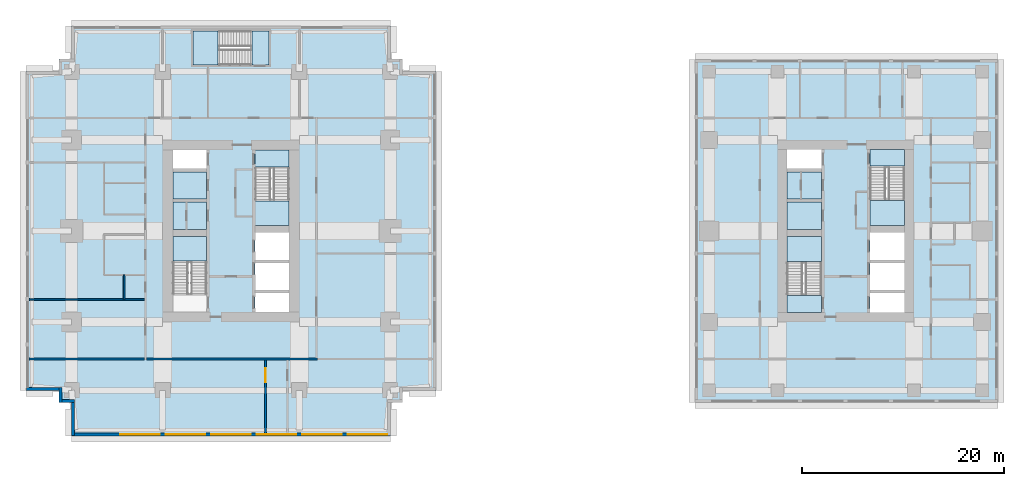
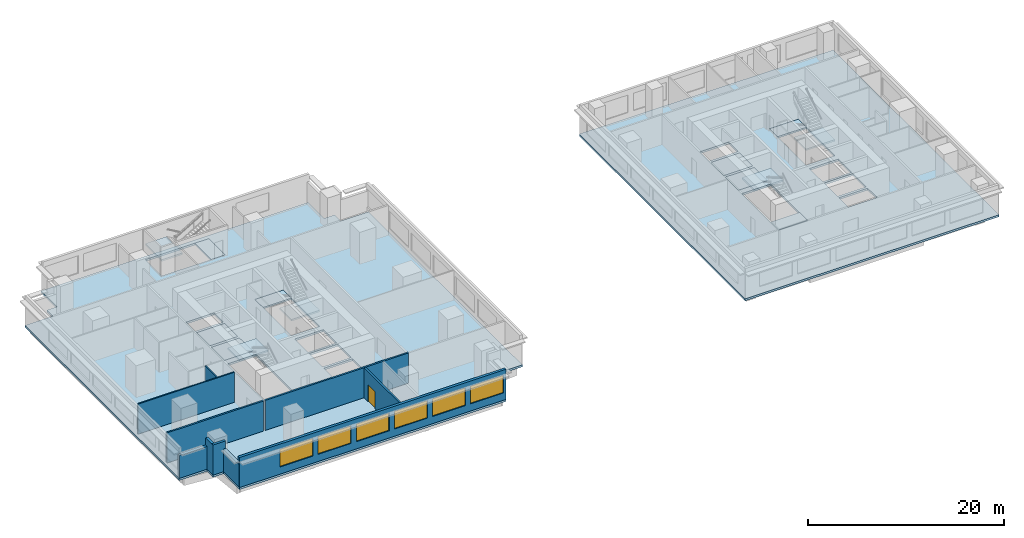
# One storey, part 2 of 11: 15 slabs, 10 walls, 6 windows, 1 door, 7 openings, 5 elements without a shape of their own.
"""IFC4 building model written with IfcOpenShell, lengths in metres."""

import ifcopenshell
import ifcopenshell.guid

model = None  # the IFC model being written
_history = None  # IfcOwnerHistory: only IFC2X3 demands one
_inside = {}  # id of a spatial element -> (the spatial element, [elements in it])
_under = {}  # id of a project, library or spatial element -> (it, [spatial elements below it])
_declared = {}  # id of a project -> (the project, [libraries it declares])
_typed = {}  # id of a type object -> (the type object, [elements of that type])
_made_of = {}  # id of a material, layer set ... -> (it, [elements and type objects made of it])


def new_model(schema):
    """Start an empty IFC model of exactly this schema.

    Asked for "IFC4X3", IfcOpenShell would pick the latest addendum, in which some entities
    have other attributes; the version numbers below select the first issue.
    IFC2X3 requires an IfcOwnerHistory on every rooted entity: one is made here for all.
    """
    global model, _history
    if schema == "IFC4X3":
        model = ifcopenshell.file(schema_version=(4, 3, 0, 0))
    else:
        model = ifcopenshell.file(schema=schema)
    _inside.clear()
    _under.clear()
    _declared.clear()
    _typed.clear()
    _made_of.clear()
    _history = None
    if model.schema == "IFC2X3":
        org = make("IfcOrganization", Name="unknown")
        user = make(
            "IfcPersonAndOrganization",
            ThePerson=make("IfcPerson", FamilyName="unknown"),
            TheOrganization=org,
        )
        app = make(
            "IfcApplication",
            ApplicationDeveloper=org,
            Version="unknown",
            ApplicationFullName="unknown",
            ApplicationIdentifier="unknown",
        )
        _history = make(
            "IfcOwnerHistory",
            OwningUser=user,
            OwningApplication=app,
            ChangeAction="ADDED",
            CreationDate=0,
        )
    return model


def make(cls, **values):
    """One entity of the class cls with the attributes given. An attribute that is None is left unset."""
    return model.create_entity(
        cls, **{name: value for name, value in values.items() if value is not None}
    )


def rooted(cls, **values):
    """An entity with a GlobalId (a new one), such as an element, a storey or a relation."""
    return make(cls, GlobalId=ifcopenshell.guid.new(), OwnerHistory=_history, **values)


def si_unit(unit_type, name, prefix=None):
    """IfcSIUnit, for example si_unit("LENGTHUNIT", "METRE", prefix="MILLI")."""
    return make("IfcSIUnit", UnitType=unit_type, Prefix=prefix, Name=name)


def assignment(units):
    """IfcUnitAssignment: the units of a project."""
    return None if units is None else make("IfcUnitAssignment", Units=units)


def point(xyz):
    """IfcCartesianPoint."""
    return None if xyz is None else make("IfcCartesianPoint", Coordinates=xyz)


def direction(xyz):
    """IfcDirection."""
    return None if xyz is None else make("IfcDirection", DirectionRatios=xyz)


def frame(location, z_axis=None, x_axis=None):
    """IfcAxis2Placement3D, a coordinate frame: its origin and axes. An axis left out is left unset."""
    return make(
        "IfcAxis2Placement3D",
        Location=point(location),
        Axis=direction(z_axis),
        RefDirection=direction(x_axis),
    )


def frame_2d(location, x_axis=None):
    """IfcAxis2Placement2D, a coordinate frame in the plane: its origin and x axis."""
    return make(
        "IfcAxis2Placement2D", Location=point(location), RefDirection=direction(x_axis)
    )


def origin():
    """The frame at (0, 0, 0) with its axes left unset."""
    return frame((0.0, 0.0, 0.0))


def place(relative_to, where):
    """IfcLocalPlacement: puts the frame where relative to a parent placement (None: the world)."""
    return make(
        "IfcLocalPlacement", PlacementRelTo=relative_to, RelativePlacement=where
    )


def context(
    kind, dimensions, precision=None, world=None, true_north=None, identifier=None
):
    """IfcGeometricRepresentationContext, for example the 3D "Model" context."""
    return make(
        "IfcGeometricRepresentationContext",
        ContextIdentifier=identifier,
        ContextType=kind,
        CoordinateSpaceDimension=dimensions,
        Precision=precision,
        WorldCoordinateSystem=world,
        TrueNorth=true_north,
    )


def subcontext(parent, identifier, kind, view, scale=None):
    """IfcGeometricRepresentationSubContext, for example "Body" below "Model"."""
    return make(
        "IfcGeometricRepresentationSubContext",
        ContextIdentifier=identifier,
        ContextType=kind,
        ParentContext=parent,
        TargetScale=scale,
        TargetView=view,
    )


def project(units=None, contexts=None):
    """IfcProject with its units and contexts."""
    return rooted(
        "IfcProject",
        Name="project",
        RepresentationContexts=contexts,
        UnitsInContext=assignment(units),
    )


def spatial(cls, under=None, at=None, **own):
    """A site, building, storey or space (cls), placed at a placement, below another one or the project."""
    s = rooted(cls, ObjectPlacement=at, **own)
    if under is not None:
        _under.setdefault(under.id(), (under, []))[1].append(s)
    return s


def polyline(points):
    """IfcPolyline through the points."""
    return make("IfcPolyline", Points=[point(p) for p in points])


def profile(cls, at=None, kind="AREA", **sizes):
    """A parametric profile (cls). Its sizes go by their IFC names, for example OverallWidth=200.0."""
    return make(cls, ProfileType=kind, Position=at, **sizes)


def rectangle(**sizes):
    """IfcRectangleProfileDef."""
    return profile("IfcRectangleProfileDef", **sizes)


def outline(outer, holes=None, kind="AREA"):
    """IfcArbitraryClosedProfileDef: a profile drawn as a closed curve; with holes, ...WithVoids."""
    if holes is None:
        return make("IfcArbitraryClosedProfileDef", ProfileType=kind, OuterCurve=outer)
    return make(
        "IfcArbitraryProfileDefWithVoids",
        ProfileType=kind,
        OuterCurve=outer,
        InnerCurves=holes,
    )


def extrude(swept, where, along, depth):
    """IfcExtrudedAreaSolid: the profile swept, set in the frame where, extruded along a direction by depth."""
    return make(
        "IfcExtrudedAreaSolid",
        SweptArea=swept,
        Position=where,
        ExtrudedDirection=direction(along),
        Depth=depth,
    )


def shape(context_of_items, identifier, shape_type, items):
    """IfcShapeRepresentation: the items that make up one representation, for example the "Body"."""
    return make(
        "IfcShapeRepresentation",
        ContextOfItems=context_of_items,
        RepresentationIdentifier=identifier,
        RepresentationType=shape_type,
        Items=items,
    )


def material(Name=None, Category=None):
    """IfcMaterial."""
    return make("IfcMaterial", Name=Name, Category=Category)


def layer(
    of_material, thickness, ventilated=None, Name=None, Category=None, Priority=None
):
    """IfcMaterialLayer: one layer of a wall or slab, of a material (None: an air gap)."""
    return make(
        "IfcMaterialLayer",
        Material=of_material,
        LayerThickness=thickness,
        IsVentilated=ventilated,
        Name=Name,
        Category=Category,
        Priority=Priority,
    )


def layer_set(layers, Name=None):
    """IfcMaterialLayerSet."""
    return make("IfcMaterialLayerSet", MaterialLayers=layers, LayerSetName=Name)


def made_of(thing, what):
    """Note that an element or type object is made of a material, layer set ...; save() writes the relation."""
    if what is not None:
        _made_of.setdefault(what.id(), (what, []))[1].append(thing)
    return thing


def type_object(cls, material=None, **own):
    """A type object (cls), such as IfcWallType, which elements share."""
    return made_of(rooted(cls, **own), material)


def element(
    cls,
    number,
    at=None,
    inside=None,
    cuts=None,
    type_object=None,
    material=None,
    context=None,
    identifier="Body",
    shape_type=None,
    held_by="IfcProductDefinitionShape",
    body=None,
    shapes=None,
    **own,
):
    """One element of the class cls, such as IfcWall. Its Tag is "e" and its number.

    at: its placement. inside: the storey or other place that contains it. cuts: it is an
    opening in that element (IfcRelVoidsElement). A single representation is given by context,
    identifier, shape_type and body (its items); several are given by shapes. held_by: the class
    of the entity that holds the representations. save() writes the other relations.
    """
    e = rooted(cls, Tag="e%d" % number, ObjectPlacement=at, **own)
    if body is not None:
        shapes = [shape(context, identifier, shape_type, body)]
    if shapes is not None:
        e.Representation = make(held_by, Representations=shapes)
    if inside is not None:
        _inside.setdefault(inside.id(), (inside, []))[1].append(e)
    if cuts is not None:
        rooted(
            "IfcRelVoidsElement", RelatingBuildingElement=cuts, RelatedOpeningElement=e
        )
    if type_object is not None:
        _typed.setdefault(type_object.id(), (type_object, []))[1].append(e)
    return made_of(e, material)


def fill(opening, filler):
    """IfcRelFillsElement: the door or window that sits in an opening."""
    return rooted(
        "IfcRelFillsElement",
        RelatingOpeningElement=opening,
        RelatedBuildingElement=filler,
    )


def aggregate(whole, parts):
    """IfcRelAggregates: a whole, such as a stair, and the parts it consists of."""
    return rooted("IfcRelAggregates", RelatingObject=whole, RelatedObjects=parts)


def save(model, path):
    """Write the relations noted so far, then the file.

    IfcRelAggregates (storeys below a building ...), IfcRelContainedInSpatialStructure (elements
    in a storey), IfcRelDefinesByType, IfcRelAssociatesMaterial and IfcRelDeclares: one each for
    every whole, place, type object, material and project.
    """
    for whole, parts in _under.values():
        aggregate(whole, parts)
    for where, things in _inside.values():
        rooted(
            "IfcRelContainedInSpatialStructure",
            RelatedElements=things,
            RelatingStructure=where,
        )
    for kind, things in _typed.values():
        rooted("IfcRelDefinesByType", RelatedObjects=things, RelatingType=kind)
    for what, things in _made_of.values():
        rooted("IfcRelAssociatesMaterial", RelatedObjects=things, RelatingMaterial=what)
    for by, libraries in _declared.values():
        rooted("IfcRelDeclares", RelatingContext=by, RelatedDefinitions=libraries)
    model.write(path)


model = new_model("IFC4")

# Units and contexts
model_context = context("Model", 3, precision=1e-05, world=origin(), true_north=direction((0.0, 1.0)))
body_context = subcontext(model_context, "Body", "Model", "MODEL_VIEW")
ifc_project = project(units=[si_unit("LENGTHUNIT", "METRE"), si_unit("AREAUNIT", "SQUARE_METRE"), si_unit("VOLUMEUNIT", "CUBIC_METRE"), si_unit("PLANEANGLEUNIT", "RADIAN"), si_unit("MASSUNIT", "GRAM", prefix="KILO")], contexts=[model_context])

# Site, building, storey
site_placement = place(None, origin())
site = spatial("IfcSite", under=ifc_project, at=site_placement, CompositionType="ELEMENT")
building_placement = place(site_placement, origin())
building = spatial("IfcBuilding", under=site, at=building_placement, Name="Namib Vertical Campus", CompositionType="ELEMENT")
storey_placement = place(building_placement, frame((0.0, 0.0, 209.0)))
storey = spatial("IfcBuildingStorey", under=building, at=storey_placement, Name="L49", CompositionType="ELEMENT", Elevation=209.0)

# Slabs
ifc_material_1 = material(Name="Concrete C40/50", Category="concrete")
ifc_layer_1 = layer(ifc_material_1, 0.25)
ifc_layer_set_1 = layer_set([ifc_layer_1], Name="Concrete C40/50")
slab_type_1 = type_object("IfcSlabType", Name="Floor slab 250", PredefinedType="FLOOR", material=ifc_layer_set_1)
slab_1_placement = place(storey_placement, frame((0.0, 0.0, -0.25)))
element("IfcSlab", 1, at=slab_1_placement, inside=storey, type_object=slab_type_1, Name="Floor slab A L49", PredefinedType="FLOOR", context=body_context, shape_type="SweptSolid", body=[
    extrude(outline(polyline([(4.5, 0.0), (36.0, 0.0), (36.0, 3.27490234375), (37.22509765625, 3.27490234375), (37.22509765625, 4.5), (40.5, 4.5), (40.5, 36.0), (37.22509765625, 36.0), (37.22509765625, 37.22509765625), (36.0, 37.22509765625), (36.0, 40.5), (4.5, 40.5), (4.5, 37.22509765625), (3.27490234375, 37.22509765625), (3.27490234375, 36.0), (0.0, 36.0), (0.0, 4.5), (3.27490234375, 4.5), (3.27490234375, 3.27490234375), (4.5, 3.27490234375), (4.5, 0.0)]), holes=[polyline([(14.5, 12.25), (17.85009765625, 12.25), (17.85009765625, 19.699951171875), (14.5, 19.699951171875), (14.5, 12.25)]), polyline([(22.64990234375, 20.800048828125), (26.0, 20.800048828125), (26.0, 28.25), (22.64990234375, 28.25), (22.64990234375, 20.800048828125)]), polyline([(22.64990234375, 12.25), (26.0, 12.25), (26.0, 14.10009765625), (22.64990234375, 14.10009765625), (22.64990234375, 12.25)]), polyline([(14.5, 20.39990234375), (17.85009765625, 20.39990234375), (17.85009765625, 23.10009765625), (14.5, 23.10009765625), (14.5, 20.39990234375)]), polyline([(14.5, 23.39990234375), (17.85009765625, 23.39990234375), (17.85009765625, 26.10009765625), (14.5, 26.10009765625), (14.5, 23.39990234375)]), polyline([(14.5, 26.39990234375), (17.85009765625, 26.39990234375), (17.85009765625, 28.25), (14.5, 28.25), (14.5, 26.39990234375)]), polyline([(22.64990234375, 14.39990234375), (26.0, 14.39990234375), (26.0, 17.10009765625), (22.64990234375, 17.10009765625), (22.64990234375, 14.39990234375)]), polyline([(22.64990234375, 17.39990234375), (26.0, 17.39990234375), (26.0, 20.10009765625), (22.64990234375, 20.10009765625), (22.64990234375, 17.39990234375)]), polyline([(16.5, 36.64990234375), (24.0, 36.64990234375), (24.0, 40.0), (16.5, 40.0), (16.5, 36.64990234375)])]), origin(), (0.0, 0.0, 1.0), 0.25),
])
slab_2_placement = place(storey_placement, frame((0.0, 0.0, -0.25)))
element("IfcSlab", 2, at=slab_2_placement, inside=storey, type_object=slab_type_1, Name="Floor slab B L49", PredefinedType="FLOOR", context=body_context, shape_type="SweptSolid", body=[
    extrude(outline(polyline([(66.10009765625, 3.300048828125), (96.050048828125, 3.300048828125), (96.050048828125, 37.199951171875), (66.10009765625, 37.199951171875), (66.10009765625, 3.300048828125)]), holes=[polyline([(75.199951171875, 12.199951171875), (78.60009765625, 12.199951171875), (78.60009765625, 19.699951171875), (75.199951171875, 19.699951171875), (75.199951171875, 12.199951171875)]), polyline([(83.39990234375, 20.800048828125), (86.800048828125, 20.800048828125), (86.800048828125, 28.300048828125), (83.39990234375, 28.300048828125), (83.39990234375, 20.800048828125)]), polyline([(83.39990234375, 12.199951171875), (86.800048828125, 12.199951171875), (86.800048828125, 14.10009765625), (83.39990234375, 14.10009765625), (83.39990234375, 12.199951171875)]), polyline([(75.199951171875, 20.39990234375), (78.60009765625, 20.39990234375), (78.60009765625, 23.10009765625), (75.199951171875, 23.10009765625), (75.199951171875, 20.39990234375)]), polyline([(75.199951171875, 23.39990234375), (78.60009765625, 23.39990234375), (78.60009765625, 26.10009765625), (75.199951171875, 26.10009765625), (75.199951171875, 23.39990234375)]), polyline([(75.199951171875, 26.39990234375), (78.60009765625, 26.39990234375), (78.60009765625, 28.300048828125), (75.199951171875, 28.300048828125), (75.199951171875, 26.39990234375)]), polyline([(83.39990234375, 14.39990234375), (86.800048828125, 14.39990234375), (86.800048828125, 17.10009765625), (83.39990234375, 17.10009765625), (83.39990234375, 14.39990234375)]), polyline([(83.39990234375, 17.39990234375), (86.800048828125, 17.39990234375), (86.800048828125, 20.10009765625), (83.39990234375, 20.10009765625), (83.39990234375, 17.39990234375)])]), origin(), (0.0, 0.0, 1.0), 0.25),
])
ifc_material_2 = material(Name="Concrete C40/50 precast", Category="concrete")
ifc_layer_2 = layer(ifc_material_2, 0.25)
ifc_layer_set_2 = layer_set([ifc_layer_2], Name="Concrete C40/50 precast")
slab_type_2 = type_object("IfcSlabType", Name="Shaft infill floor 250", PredefinedType="FLOOR", material=ifc_layer_set_2)
slab_3_placement = place(storey_placement, frame((0.0, 0.0, -0.25)))
element("IfcSlab", 3, at=slab_3_placement, inside=storey, type_object=slab_type_2, Name="Shaft infill floor A L49 P1", PredefinedType="FLOOR", context=body_context, shape_type="SweptSolid", body=[
    extrude(outline(polyline([(14.5, 20.39990234375), (17.85009765625, 20.39990234375), (17.85009765625, 23.10009765625), (14.5, 23.10009765625), (14.5, 20.39990234375)])), origin(), (0.0, 0.0, 1.0), 0.25),
])
slab_4_placement = place(storey_placement, frame((0.0, 0.0, -0.25)))
element("IfcSlab", 4, at=slab_4_placement, inside=storey, type_object=slab_type_2, Name="Shaft infill floor A L49 P2", PredefinedType="FLOOR", context=body_context, shape_type="SweptSolid", body=[
    extrude(outline(polyline([(14.5, 23.39990234375), (17.85009765625, 23.39990234375), (17.85009765625, 26.10009765625), (14.5, 26.10009765625), (14.5, 23.39990234375)])), origin(), (0.0, 0.0, 1.0), 0.25),
])
slab_5_placement = place(storey_placement, frame((0.0, 0.0, -0.25)))
element("IfcSlab", 5, at=slab_5_placement, inside=storey, type_object=slab_type_2, Name="Shaft infill floor B L49 P1", PredefinedType="FLOOR", context=body_context, shape_type="SweptSolid", body=[
    extrude(outline(polyline([(75.199951171875, 20.39990234375), (78.60009765625, 20.39990234375), (78.60009765625, 23.10009765625), (75.199951171875, 23.10009765625), (75.199951171875, 20.39990234375)])), origin(), (0.0, 0.0, 1.0), 0.25),
])
slab_6_placement = place(storey_placement, frame((0.0, 0.0, -0.25)))
element("IfcSlab", 6, at=slab_6_placement, inside=storey, type_object=slab_type_2, Name="Shaft infill floor B L49 P2", PredefinedType="FLOOR", context=body_context, shape_type="SweptSolid", body=[
    extrude(outline(polyline([(75.199951171875, 23.39990234375), (78.60009765625, 23.39990234375), (78.60009765625, 26.10009765625), (75.199951171875, 26.10009765625), (75.199951171875, 23.39990234375)])), origin(), (0.0, 0.0, 1.0), 0.25),
])

# Stair, slab
ifc_material_3 = material(Name="Concrete C40/50 precast", Category="concrete")
stair_type_1 = type_object("IfcStairType", Name="Exit stair 4000 rise 24 risers 3350 wide", PredefinedType="HALF_TURN_STAIR", material=ifc_material_3)
stair_1_placement = place(storey_placement, origin())
stair_1 = element("IfcStair", 7, at=stair_1_placement, inside=storey, type_object=stair_type_1, Name="Exit stair A-S1 L49", PredefinedType="HALF_TURN_STAIR")
ifc_material_4 = material(Name="Concrete C40/50", Category="concrete")
ifc_layer_3 = layer(ifc_material_4, 0.199951171875)
ifc_layer_set_3 = layer_set([ifc_layer_3], Name="Concrete C40/50")
slab_type_3 = type_object("IfcSlabType", Name="Stair landing 200", PredefinedType="LANDING", material=ifc_layer_set_3)
slab_7_placement = place(storey_placement, frame((0.0, 0.0, 1.800048828125)))
slab_7 = element("IfcSlab", 8, at=slab_7_placement, type_object=slab_type_3, Name="A-S1 landing 2", PredefinedType="LANDING", context=body_context, shape_type="SweptSolid", body=[
    extrude(outline(polyline([(14.5, 17.276123046875), (17.85009765625, 17.276123046875), (17.85009765625, 19.699951171875), (14.5, 19.699951171875), (14.5, 17.276123046875)])), origin(), (0.0, 0.0, 1.0), 0.199951171875),
])
aggregate(stair_1, [slab_7])

# Stair, slabs
stair_2_placement = place(storey_placement, origin())
stair_2 = element("IfcStair", 9, at=stair_2_placement, inside=storey, type_object=stair_type_1, Name="Exit stair A-S2 L49", PredefinedType="HALF_TURN_STAIR")
slab_8_placement = place(storey_placement, frame((0.0, 0.0, -0.199951171875)))
slab_8 = element("IfcSlab", 10, at=slab_8_placement, type_object=slab_type_3, Name="A-S2 landing 1", PredefinedType="LANDING", context=body_context, shape_type="SweptSolid", body=[
    extrude(outline(polyline([(22.64990234375, 26.59619140625), (26.0, 26.59619140625), (26.0, 28.25), (22.64990234375, 28.25), (22.64990234375, 26.59619140625)])), origin(), (0.0, 0.0, 1.0), 0.199951171875),
])
slab_9_placement = place(storey_placement, frame((0.0, 0.0, 1.800048828125)))
slab_9 = element("IfcSlab", 11, at=slab_9_placement, type_object=slab_type_3, Name="A-S2 landing 2", PredefinedType="LANDING", context=body_context, shape_type="SweptSolid", body=[
    extrude(outline(polyline([(22.64990234375, 20.800048828125), (26.0, 20.800048828125), (26.0, 23.223876953125), (22.64990234375, 23.223876953125), (22.64990234375, 20.800048828125)])), origin(), (0.0, 0.0, 1.0), 0.199951171875),
])
aggregate(stair_2, [slab_8, slab_9])

ifc_material_5 = material(Name="Concrete C40/50 precast", Category="concrete")
stair_type_2 = type_object("IfcStairType", Name="Exit stair 4000 rise 24 risers 3400 wide", PredefinedType="HALF_TURN_STAIR", material=ifc_material_5)
stair_3_placement = place(storey_placement, origin())
stair_3 = element("IfcStair", 12, at=stair_3_placement, inside=storey, type_object=stair_type_2, Name="Exit stair B-S1 L49", PredefinedType="HALF_TURN_STAIR")
slab_10_placement = place(storey_placement, frame((0.0, 0.0, -0.199951171875)))
slab_10 = element("IfcSlab", 13, at=slab_10_placement, type_object=slab_type_3, Name="B-S1 landing 1", PredefinedType="LANDING", context=body_context, shape_type="SweptSolid", body=[
    extrude(outline(polyline([(75.199951171875, 12.199951171875), (78.60009765625, 12.199951171875), (78.60009765625, 13.85400390625), (75.199951171875, 13.85400390625), (75.199951171875, 12.199951171875)])), origin(), (0.0, 0.0, 1.0), 0.199951171875),
])
slab_11_placement = place(storey_placement, frame((0.0, 0.0, 1.800048828125)))
slab_11 = element("IfcSlab", 14, at=slab_11_placement, type_object=slab_type_3, Name="B-S1 landing 2", PredefinedType="LANDING", context=body_context, shape_type="SweptSolid", body=[
    extrude(outline(polyline([(75.199951171875, 17.22607421875), (78.60009765625, 17.22607421875), (78.60009765625, 19.699951171875), (75.199951171875, 19.699951171875), (75.199951171875, 17.22607421875)])), origin(), (0.0, 0.0, 1.0), 0.199951171875),
])
aggregate(stair_3, [slab_10, slab_11])

stair_4_placement = place(storey_placement, origin())
stair_4 = element("IfcStair", 15, at=stair_4_placement, inside=storey, type_object=stair_type_2, Name="Exit stair B-S2 L49", PredefinedType="HALF_TURN_STAIR")
slab_12_placement = place(storey_placement, frame((0.0, 0.0, -0.199951171875)))
slab_12 = element("IfcSlab", 16, at=slab_12_placement, type_object=slab_type_3, Name="B-S2 landing 1", PredefinedType="LANDING", context=body_context, shape_type="SweptSolid", body=[
    extrude(outline(polyline([(83.39990234375, 26.64599609375), (86.800048828125, 26.64599609375), (86.800048828125, 28.300048828125), (83.39990234375, 28.300048828125), (83.39990234375, 26.64599609375)])), origin(), (0.0, 0.0, 1.0), 0.199951171875),
])
slab_13_placement = place(storey_placement, frame((0.0, 0.0, 1.800048828125)))
slab_13 = element("IfcSlab", 17, at=slab_13_placement, type_object=slab_type_3, Name="B-S2 landing 2", PredefinedType="LANDING", context=body_context, shape_type="SweptSolid", body=[
    extrude(outline(polyline([(83.39990234375, 20.800048828125), (86.800048828125, 20.800048828125), (86.800048828125, 23.27392578125), (83.39990234375, 23.27392578125), (83.39990234375, 20.800048828125)])), origin(), (0.0, 0.0, 1.0), 0.199951171875),
])
aggregate(stair_4, [slab_12, slab_13])

stair_5_placement = place(storey_placement, origin())
stair_5 = element("IfcStair", 18, at=stair_5_placement, inside=storey, type_object=stair_type_1, Name="Exit stair A-S3 L49", PredefinedType="HALF_TURN_STAIR")
slab_14_placement = place(storey_placement, frame((0.0, 0.0, -0.199951171875)))
slab_14 = element("IfcSlab", 19, at=slab_14_placement, type_object=slab_type_3, Name="A-S3 landing 1", PredefinedType="LANDING", context=body_context, shape_type="SweptSolid", body=[
    extrude(outline(polyline([(22.34619140625, 36.64990234375), (22.34619140625, 40.0), (24.0, 40.0), (24.0, 36.64990234375), (22.34619140625, 36.64990234375)])), origin(), (0.0, 0.0, 1.0), 0.199951171875),
])
slab_15_placement = place(storey_placement, frame((0.0, 0.0, 1.800048828125)))
slab_15 = element("IfcSlab", 20, at=slab_15_placement, type_object=slab_type_3, Name="A-S3 landing 2", PredefinedType="LANDING", context=body_context, shape_type="SweptSolid", body=[
    extrude(outline(polyline([(16.5, 36.64990234375), (16.5, 40.0), (18.973876953125, 40.0), (18.973876953125, 36.64990234375), (16.5, 36.64990234375)])), origin(), (0.0, 0.0, 1.0), 0.199951171875),
])
aggregate(stair_5, [slab_14, slab_15])

# Wall
ifc_material_6 = material(Name="Concrete masonry", Category="masonry")
ifc_layer_4 = layer(ifc_material_6, 0.199951171875)
ifc_layer_set_4 = layer_set([ifc_layer_4], Name="Corridor wall 200")
wall_type_1 = type_object("IfcWallType", Name="Corridor wall 200", PredefinedType="SOLIDWALL", material=ifc_layer_set_4)
wall_1_placement = place(storey_placement, frame((11.89990234375, 7.60009765625, 0.0), z_axis=(0.0, 0.0, 1.0), x_axis=(1.0, 0.0, 0.0)))
element("IfcWall", 21, at=wall_1_placement, inside=storey, type_object=wall_type_1, Name="Corridor wall A L49 CS", PredefinedType="SOLIDWALL", context=body_context, shape_type="SweptSolid", body=[
    extrude(rectangle(XDim=16.900146484375, YDim=0.199951171875, at=frame_2d((8.4501953125, 0.0))), origin(), (0.0, 0.0, 1.0), 3.75),
])

# Wall, opening, door
wall_2_placement = place(storey_placement, frame((23.64990234375, 0.300048828125, 0.0), z_axis=(0.0, 0.0, 1.0), x_axis=(0.0, 1.0, 0.0)))
wall_2 = element("IfcWall", 22, at=wall_2_placement, inside=storey, type_object=wall_type_1, Name="Corridor wall A L49 SPS1", PredefinedType="SOLIDWALL", context=body_context, shape_type="SweptSolid", body=[
    extrude(rectangle(XDim=7.199951171875, YDim=0.199951171875, at=frame_2d((3.60009765625, 0.0))), origin(), (0.0, 0.0, 1.0), 3.75),
])
opening_1_placement = place(wall_2_placement, frame((5.0, 0.0, 0.0)))
opening_1 = element("IfcOpeningElement", 23, at=opening_1_placement, cuts=wall_2, Name="Opening LB1", PredefinedType="OPENING", context=body_context, shape_type="SweptSolid", body=[
    extrude(rectangle(XDim=1.39990234375, YDim=2.10009765625, at=frame_2d((0.699951171875, 1.050048828125))), frame((0.0, 0.10986328125, 0.0), z_axis=(0.0, -1.0, 0.0), x_axis=(1.0, 0.0, 0.0)), (0.0, 0.0, 1.0), 0.219970703125),
])
ifc_material_7 = material(Name="Timber fire door leaf", Category="wood")
door_type = type_object("IfcDoorType", Name="Laboratory door 1400x2100 leaf and a half", OperationType="DOUBLE_DOOR_SINGLE_SWING", PredefinedType="DOOR", material=ifc_material_7)
door_placement = place(opening_1_placement, origin())
door = element("IfcDoor", 24, at=door_placement, inside=storey, type_object=door_type, Name="Door LB1 A49-01", OperationType="DOUBLE_DOOR_SINGLE_SWING", OverallHeight=2.10009765625, OverallWidth=1.39990234375, PredefinedType="DOOR", context=body_context, shape_type="SweptSolid", body=[
    extrude(rectangle(XDim=1.39990234375, YDim=2.10009765625, at=frame_2d((0.699951171875, 1.050048828125))), frame((0.0, 0.02490234375, 0.0), z_axis=(0.0, -1.0, 0.0), x_axis=(1.0, 0.0, 0.0)), (0.0, 0.0, 1.0), 0.050048828125),
])
fill(opening_1, door)

# Wall
wall_3_placement = place(storey_placement, frame((0.300048828125, 7.60009765625, 0.0), z_axis=(0.0, 0.0, 1.0), x_axis=(1.0, 0.0, 0.0)))
element("IfcWall", 25, at=wall_3_placement, inside=storey, type_object=wall_type_1, Name="Partition A L49 BSW", PredefinedType="SOLIDWALL", context=body_context, shape_type="SweptSolid", body=[
    extrude(rectangle(XDim=11.39990234375, YDim=0.199951171875, at=frame_2d((5.699951171875, 0.0))), origin(), (0.0, 0.0, 1.0), 3.75),
])

# Wall, openings, windows
ifc_material_8 = material(Name="Concrete C40/50", Category="concrete")
ifc_layer_5 = layer(ifc_material_8, 0.300048828125)
ifc_layer_set_5 = layer_set([ifc_layer_5], Name="Concrete C40/50")
wall_type_2 = type_object("IfcWallType", Name="External wall 300 board-marked concrete", PredefinedType="STANDARD", material=ifc_layer_set_5)
wall_4_placement = place(storey_placement, frame((4.52001953125, 0.14990234375, 0.0), z_axis=(0.0, 0.0, 1.0), x_axis=(1.0, 0.0, 0.0)))
wall_4 = element("IfcWall", 26, at=wall_4_placement, inside=storey, type_object=wall_type_2, Name="External wall L49 F01", PredefinedType="STANDARD", context=body_context, shape_type="SweptSolid", body=[
    extrude(rectangle(XDim=31.4599609375, YDim=0.300048828125, at=frame_2d((15.72998046875, 0.0))), origin(), (0.0, 0.0, 1.0), 3.75),
])
opening_2_placement = place(wall_4_placement, frame((4.780029296875, 0.0, 0.89990234375)))
opening_2 = element("IfcOpeningElement", 27, at=opening_2_placement, cuts=wall_4, Name="Opening W1", PredefinedType="OPENING", context=body_context, shape_type="SweptSolid", body=[
    extrude(rectangle(XDim=3.89990234375, YDim=2.199951171875, at=frame_2d((1.949951171875, 1.10009765625))), frame((0.0, 0.159912109375, 0.0), z_axis=(0.0, -1.0, 0.0), x_axis=(1.0, 0.0, 0.0)), (0.0, 0.0, 1.0), 0.320068359375),
])
opening_3_placement = place(wall_4_placement, frame((9.280029296875, 0.0, 0.89990234375)))
opening_3 = element("IfcOpeningElement", 28, at=opening_3_placement, cuts=wall_4, Name="Opening W1", PredefinedType="OPENING", context=body_context, shape_type="SweptSolid", body=[
    extrude(rectangle(XDim=3.89990234375, YDim=2.199951171875, at=frame_2d((1.949951171875, 1.10009765625))), frame((0.0, 0.159912109375, 0.0), z_axis=(0.0, -1.0, 0.0), x_axis=(1.0, 0.0, 0.0)), (0.0, 0.0, 1.0), 0.320068359375),
])
opening_4_placement = place(wall_4_placement, frame((13.780029296875, 0.0, 0.89990234375)))
opening_4 = element("IfcOpeningElement", 29, at=opening_4_placement, cuts=wall_4, Name="Opening W1", PredefinedType="OPENING", context=body_context, shape_type="SweptSolid", body=[
    extrude(rectangle(XDim=3.89990234375, YDim=2.199951171875, at=frame_2d((1.949951171875, 1.10009765625))), frame((0.0, 0.159912109375, 0.0), z_axis=(0.0, -1.0, 0.0), x_axis=(1.0, 0.0, 0.0)), (0.0, 0.0, 1.0), 0.320068359375),
])
opening_5_placement = place(wall_4_placement, frame((18.280029296875, 0.0, 0.89990234375)))
opening_5 = element("IfcOpeningElement", 30, at=opening_5_placement, cuts=wall_4, Name="Opening W1", PredefinedType="OPENING", context=body_context, shape_type="SweptSolid", body=[
    extrude(rectangle(XDim=3.89990234375, YDim=2.199951171875, at=frame_2d((1.949951171875, 1.10009765625))), frame((0.0, 0.159912109375, 0.0), z_axis=(0.0, -1.0, 0.0), x_axis=(1.0, 0.0, 0.0)), (0.0, 0.0, 1.0), 0.320068359375),
])
opening_6_placement = place(wall_4_placement, frame((22.780029296875, 0.0, 0.89990234375)))
opening_6 = element("IfcOpeningElement", 31, at=opening_6_placement, cuts=wall_4, Name="Opening W1", PredefinedType="OPENING", context=body_context, shape_type="SweptSolid", body=[
    extrude(rectangle(XDim=3.89990234375, YDim=2.199951171875, at=frame_2d((1.949951171875, 1.10009765625))), frame((0.0, 0.159912109375, 0.0), z_axis=(0.0, -1.0, 0.0), x_axis=(1.0, 0.0, 0.0)), (0.0, 0.0, 1.0), 0.320068359375),
])
opening_7_placement = place(wall_4_placement, frame((27.280029296875, 0.0, 0.89990234375)))
opening_7 = element("IfcOpeningElement", 32, at=opening_7_placement, cuts=wall_4, Name="Opening W1", PredefinedType="OPENING", context=body_context, shape_type="SweptSolid", body=[
    extrude(rectangle(XDim=3.89990234375, YDim=2.199951171875, at=frame_2d((1.949951171875, 1.10009765625))), frame((0.0, 0.159912109375, 0.0), z_axis=(0.0, -1.0, 0.0), x_axis=(1.0, 0.0, 0.0)), (0.0, 0.0, 1.0), 0.320068359375),
])
ifc_material_9 = material(Name="Dark tinted glass in black aluminium frame", Category="aluminium")
window_type = type_object("IfcWindowType", Name="Ribbon window 3900x2200", PartitioningType="SINGLE_PANEL", PredefinedType="WINDOW", material=ifc_material_9)
window_1_placement = place(opening_2_placement, origin())
window_1 = element("IfcWindow", 33, at=window_1_placement, inside=storey, type_object=window_type, Name="Window W1 L49 F01-2", OverallHeight=2.199951171875, OverallWidth=3.89990234375, PartitioningType="SINGLE_PANEL", PredefinedType="WINDOW", context=body_context, shape_type="SweptSolid", body=[
    extrude(rectangle(XDim=3.89990234375, YDim=2.199951171875, at=frame_2d((1.949951171875, 1.10009765625))), frame((0.0, 0.030029296875, 0.0), z_axis=(0.0, -1.0, 0.0), x_axis=(1.0, 0.0, 0.0)), (0.0, 0.0, 1.0), 0.06005859375),
])
fill(opening_2, window_1)
window_2_placement = place(opening_3_placement, origin())
window_2 = element("IfcWindow", 34, at=window_2_placement, inside=storey, type_object=window_type, Name="Window W1 L49 F01-3", OverallHeight=2.199951171875, OverallWidth=3.89990234375, PartitioningType="SINGLE_PANEL", PredefinedType="WINDOW", context=body_context, shape_type="SweptSolid", body=[
    extrude(rectangle(XDim=3.89990234375, YDim=2.199951171875, at=frame_2d((1.949951171875, 1.10009765625))), frame((0.0, 0.030029296875, 0.0), z_axis=(0.0, -1.0, 0.0), x_axis=(1.0, 0.0, 0.0)), (0.0, 0.0, 1.0), 0.06005859375),
])
fill(opening_3, window_2)
window_3_placement = place(opening_4_placement, origin())
window_3 = element("IfcWindow", 35, at=window_3_placement, inside=storey, type_object=window_type, Name="Window W1 L49 F01-4", OverallHeight=2.199951171875, OverallWidth=3.89990234375, PartitioningType="SINGLE_PANEL", PredefinedType="WINDOW", context=body_context, shape_type="SweptSolid", body=[
    extrude(rectangle(XDim=3.89990234375, YDim=2.199951171875, at=frame_2d((1.949951171875, 1.10009765625))), frame((0.0, 0.030029296875, 0.0), z_axis=(0.0, -1.0, 0.0), x_axis=(1.0, 0.0, 0.0)), (0.0, 0.0, 1.0), 0.06005859375),
])
fill(opening_4, window_3)
window_4_placement = place(opening_5_placement, origin())
window_4 = element("IfcWindow", 36, at=window_4_placement, inside=storey, type_object=window_type, Name="Window W1 L49 F01-5", OverallHeight=2.199951171875, OverallWidth=3.89990234375, PartitioningType="SINGLE_PANEL", PredefinedType="WINDOW", context=body_context, shape_type="SweptSolid", body=[
    extrude(rectangle(XDim=3.89990234375, YDim=2.199951171875, at=frame_2d((1.949951171875, 1.10009765625))), frame((0.0, 0.030029296875, 0.0), z_axis=(0.0, -1.0, 0.0), x_axis=(1.0, 0.0, 0.0)), (0.0, 0.0, 1.0), 0.06005859375),
])
fill(opening_5, window_4)
window_5_placement = place(opening_6_placement, origin())
window_5 = element("IfcWindow", 37, at=window_5_placement, inside=storey, type_object=window_type, Name="Window W1 L49 F01-6", OverallHeight=2.199951171875, OverallWidth=3.89990234375, PartitioningType="SINGLE_PANEL", PredefinedType="WINDOW", context=body_context, shape_type="SweptSolid", body=[
    extrude(rectangle(XDim=3.89990234375, YDim=2.199951171875, at=frame_2d((1.949951171875, 1.10009765625))), frame((0.0, 0.030029296875, 0.0), z_axis=(0.0, -1.0, 0.0), x_axis=(1.0, 0.0, 0.0)), (0.0, 0.0, 1.0), 0.06005859375),
])
fill(opening_6, window_5)
window_6_placement = place(opening_7_placement, origin())
window_6 = element("IfcWindow", 38, at=window_6_placement, inside=storey, type_object=window_type, Name="Window W1 L49 F01-7", OverallHeight=2.199951171875, OverallWidth=3.89990234375, PartitioningType="SINGLE_PANEL", PredefinedType="WINDOW", context=body_context, shape_type="SweptSolid", body=[
    extrude(rectangle(XDim=3.89990234375, YDim=2.199951171875, at=frame_2d((1.949951171875, 1.10009765625))), frame((0.0, 0.030029296875, 0.0), z_axis=(0.0, -1.0, 0.0), x_axis=(1.0, 0.0, 0.0)), (0.0, 0.0, 1.0), 0.06005859375),
])
fill(opening_7, window_6)

# Walls
wall_5_placement = place(storey_placement, frame((0.02001953125, 4.64990234375, 0.0), z_axis=(0.0, 0.0, 1.0), x_axis=(1.0, 0.0, 0.0)))
element("IfcWall", 39, at=wall_5_placement, inside=storey, type_object=wall_type_2, Name="External wall L49 F17", PredefinedType="STANDARD", context=body_context, shape_type="SweptSolid", body=[
    extrude(rectangle(XDim=3.534912109375, YDim=0.300048828125, at=frame_2d((1.767578125, 0.0))), origin(), (0.0, 0.0, 1.0), 2.85009765625),
])
for number, where, z_axis, x_axis, name in (
    (40, (3.425048828125, 4.780029296875, 0.0), (0.0, 0.0, 1.0), (0.0, -1.0, 0.0), "External wall L49 F18"),
    (41, (3.294921875, 3.425048828125, 0.0), (0.0, 0.0, 1.0), (1.0, 0.0, 0.0), "External wall L49 F19"),
):
    element("IfcWall", number, at=place(storey_placement, frame(where, z_axis=z_axis, x_axis=x_axis)), inside=storey, type_object=wall_type_2, Name=name, PredefinedType="STANDARD", context=body_context, shape_type="SweptSolid", body=[
        extrude(rectangle(XDim=1.485107421875, YDim=0.300048828125, at=frame_2d((0.74267578125, 0.0))), origin(), (0.0, 0.0, 1.0), 3.75),
    ])
wall_6_placement = place(storey_placement, frame((4.64990234375, 3.554931640625, 0.0), z_axis=(0.0, 0.0, 1.0), x_axis=(0.0, -1.0, 0.0)))
element("IfcWall", 42, at=wall_6_placement, inside=storey, type_object=wall_type_2, Name="External wall L49 F20", PredefinedType="STANDARD", context=body_context, shape_type="SweptSolid", body=[
    extrude(rectangle(XDim=3.534912109375, YDim=0.300048828125, at=frame_2d((1.767578125, 0.0))), origin(), (0.0, 0.0, 1.0), 2.85009765625),
])
ifc_material_10 = material(Name="Gypsum board on steel studs", Category="steel")
ifc_layer_6 = layer(ifc_material_10, 0.14990234375)
ifc_layer_set_6 = layer_set([ifc_layer_6], Name="Gypsum board on steel studs")
wall_type_3 = type_object("IfcWallType", Name="Partition 150", PredefinedType="PARTITIONING", material=ifc_layer_set_6)
wall_7_placement = place(storey_placement, frame((0.300048828125, 13.5, 0.0), z_axis=(0.0, 0.0, 1.0), x_axis=(1.0, 0.0, 0.0)))
element("IfcWall", 43, at=wall_7_placement, inside=storey, type_object=wall_type_3, Name="Partition A L49 PW1", PredefinedType="PARTITIONING", context=body_context, shape_type="SweptSolid", body=[
    extrude(rectangle(XDim=11.39990234375, YDim=0.14990234375, at=frame_2d((5.699951171875, 0.0))), origin(), (0.0, 0.0, 1.0), 3.75),
])
wall_8_placement = place(storey_placement, frame((9.699951171875, 13.5, 0.0), z_axis=(0.0, 0.0, 1.0), x_axis=(0.0, 1.0, 0.0)))
element("IfcWall", 44, at=wall_8_placement, inside=storey, type_object=wall_type_3, Name="Partition A L49 WB1", PredefinedType="PARTITIONING", context=body_context, shape_type="SweptSolid", body=[
    extrude(rectangle(XDim=2.39990234375, YDim=0.14990234375, at=frame_2d((1.199951171875, 0.0))), origin(), (0.0, 0.0, 1.0), 3.75),
])

save(model, "model.ifc")
